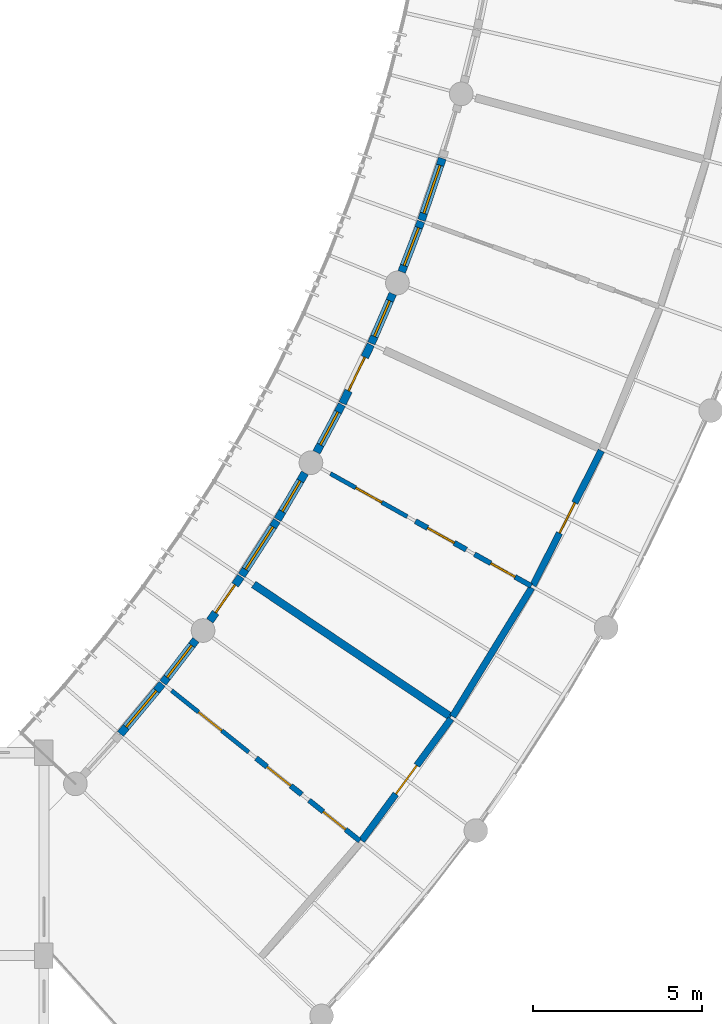
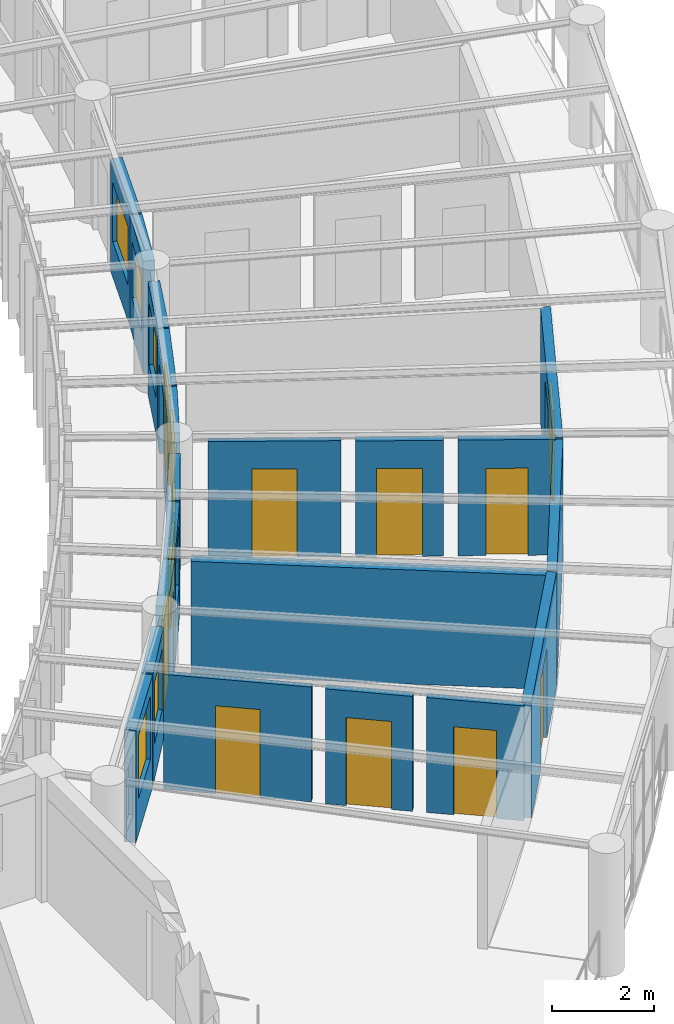
# One storey, part 60 of 100: 20 walls, 10 doors, 8 windows, 18 openings.
"""IFC4 building model written with IfcOpenShell, lengths in metres."""

from ifc_helpers import new_model, si_unit, direction, frame, frame_2d, origin, place, context, subcontext, project, spatial, rectangle, extrude, material, layer, layer_set, type_object, element, fill, save


model = new_model("IFC4")

# Units and contexts
model_context = context("Model", 3, precision=1e-05, world=origin(), true_north=direction((0.0, 1.0)))
body_context = subcontext(model_context, "Body", "Model", "MODEL_VIEW")
ifc_project = project(units=[si_unit("LENGTHUNIT", "METRE"), si_unit("AREAUNIT", "SQUARE_METRE"), si_unit("VOLUMEUNIT", "CUBIC_METRE"), si_unit("PLANEANGLEUNIT", "RADIAN"), si_unit("MASSUNIT", "GRAM", prefix="KILO"), si_unit("POWERUNIT", "WATT"), si_unit("THERMODYNAMICTEMPERATUREUNIT", "KELVIN")], contexts=[model_context])

# Site, building, storey
site_placement = place(None, origin())
site = spatial("IfcSite", under=ifc_project, at=site_placement, CompositionType="ELEMENT")
building_placement = place(site_placement, origin())
building = spatial("IfcBuilding", under=site, at=building_placement, Name="Ruvembo Vaulted Housing Court", CompositionType="ELEMENT")
storey_placement = place(building_placement, frame((0.0, 0.0, 10.89990234375)))
storey = spatial("IfcBuildingStorey", under=building, at=storey_placement, Name="L03", CompositionType="ELEMENT", Elevation=10.89990234375)

# Wall, opening, door
ifc_material_1 = material(Name="Concrete Blockwork 200", Category="masonry")
ifc_layer_1 = layer(ifc_material_1, 0.199951171875, Name="Concrete Blockwork 200")
ifc_layer_set_1 = layer_set([ifc_layer_1], Name="Concrete Blockwork 200")
wall_type_1 = type_object("IfcWallType", Name="WL-CORR-200", PredefinedType="SOLIDWALL", material=ifc_layer_set_1)
wall_1_placement = place(storey_placement, frame((45.392822265625, 39.400390625, 0.0), z_axis=(0.0, 0.0, 1.0), x_axis=(0.591475021239, 0.806323321783, 0.0)))
wall_1 = element("IfcWall", 1, at=wall_1_placement, inside=storey, type_object=wall_type_1, Name="L03 Suite SC1-L03-U1 Entrance WL-INT-L03-00976", PredefinedType="SOLIDWALL", context=body_context, shape_type="SweptSolid", body=[
    extrude(rectangle(XDim=4.467041015625, YDim=0.199951171875, at=frame_2d((2.2333984375, 0.0))), origin(), (0.0, 0.0, 1.0), 2.76220703125),
])
opening_1_placement = place(wall_1_placement, frame((1.70849609375, 0.0, 0.0)))
opening_1 = element("IfcOpeningElement", 2, at=opening_1_placement, cuts=wall_1, Name="Opening FD3", PredefinedType="OPENING", context=body_context, shape_type="SweptSolid", body=[
    extrude(rectangle(XDim=1.050048828125, YDim=2.14990234375, at=frame_2d((0.52490234375, 1.074951171875))), frame((0.0, 0.10986328125, 0.0), z_axis=(0.0, -1.0, 0.0), x_axis=(1.0, 0.0, 0.0)), (0.0, 0.0, 1.0), 0.219970703125),
])
ifc_material_2 = material(Name="FSC Hardwood and Engineered Timber", Category="wood")
door_type_1 = type_object("IfcDoorType", Name="DR-FLAT-1050x2150", OperationType="NOTDEFINED", PredefinedType="DOOR", material=ifc_material_2)
door_1_placement = place(opening_1_placement, origin())
door_1 = element("IfcDoor", 3, at=door_1_placement, inside=storey, type_object=door_type_1, Name="L03 Suite SC1-L03-U1 Entrance Door DR-INT-L03-00536", OperationType="SINGLE_SWING_RIGHT", OverallHeight=2.14990234375, OverallWidth=1.050048828125, PredefinedType="DOOR", context=body_context, shape_type="SweptSolid", body=[
    extrude(rectangle(XDim=1.050048828125, YDim=2.14990234375, at=frame_2d((0.52490234375, 1.074951171875))), frame((0.0, 0.02490234375, 0.0), z_axis=(0.0, -1.0, 0.0), x_axis=(1.0, 0.0, 0.0)), (0.0, 0.0, 1.0), 0.050048828125),
])
fill(opening_1, door_1)

# Wall
wall_2_placement = place(storey_placement, frame((48.07958984375, 43.068603515625, 0.0), z_axis=(0.0, 0.0, 1.0), x_axis=(0.523444746739, 0.852059620632, 0.0)))
element("IfcWall", 4, at=wall_2_placement, inside=storey, type_object=wall_type_1, Name="L03 Suite SC1-L03-U2 Gallery Wall WL-INT-L03-00981", PredefinedType="SOLIDWALL", context=body_context, shape_type="SweptSolid", body=[
    extrude(rectangle(XDim=4.46728515625, YDim=0.199951171875, at=frame_2d((2.233642578125, 0.0))), origin(), (0.0, 0.0, 1.0), 2.7421875),
])

# Wall, opening, door
wall_3_placement = place(storey_placement, frame((50.45703125, 46.94482421875, 0.0), z_axis=(0.0, 0.0, 1.0), x_axis=(0.451972910967, 0.892031662976, 0.0)))
wall_3 = element("IfcWall", 5, at=wall_3_placement, inside=storey, type_object=wall_type_1, Name="L03 Suite SC1-L03-U2 Entrance WL-INT-L03-00982", PredefinedType="SOLIDWALL", context=body_context, shape_type="SweptSolid", body=[
    extrude(rectangle(XDim=4.46728515625, YDim=0.199951171875, at=frame_2d((2.233642578125, 0.0))), origin(), (0.0, 0.0, 1.0), 2.72216796875),
])
opening_2_placement = place(wall_3_placement, frame((1.733642578125, 0.0, 0.0)))
opening_2 = element("IfcOpeningElement", 6, at=opening_2_placement, cuts=wall_3, Name="Opening FD1", PredefinedType="OPENING", context=body_context, shape_type="SweptSolid", body=[
    extrude(rectangle(XDim=1.0, YDim=2.14990234375, at=frame_2d((0.5, 1.074951171875))), frame((0.0, 0.10986328125, 0.0), z_axis=(0.0, -1.0, 0.0), x_axis=(1.0, 0.0, 0.0)), (0.0, 0.0, 1.0), 0.219970703125),
])
door_type_2 = type_object("IfcDoorType", Name="DR-FLAT-1000x2150", OperationType="NOTDEFINED", PredefinedType="DOOR", material=ifc_material_2)
door_2_placement = place(opening_2_placement, origin())
door_2 = element("IfcDoor", 7, at=door_2_placement, inside=storey, type_object=door_type_2, Name="L03 Suite SC1-L03-U2 Entrance Door DR-INT-L03-00540", OperationType="SINGLE_SWING_RIGHT", OverallHeight=2.14990234375, OverallWidth=1.0, PredefinedType="DOOR", context=body_context, shape_type="SweptSolid", body=[
    extrude(rectangle(XDim=1.0, YDim=2.14990234375, at=frame_2d((0.5, 1.074951171875))), frame((0.0, 0.02490234375, 0.0), z_axis=(0.0, -1.0, 0.0), x_axis=(1.0, 0.0, 0.0)), (0.0, 0.0, 1.0), 0.050048828125),
])
fill(opening_2, door_2)

# Wall
ifc_material_3 = material(Name="Acoustic Masonry Demising 230", Category="masonry")
ifc_layer_2 = layer(ifc_material_3, 0.22998046875, Name="Acoustic Masonry Demising 230")
ifc_layer_set_2 = layer_set([ifc_layer_2], Name="Acoustic Masonry Demising 230")
wall_type_2 = type_object("IfcWallType", Name="WL-DEM-230", PredefinedType="SOLIDWALL", material=ifc_layer_set_2)
wall_4_placement = place(storey_placement, frame((42.19970703125, 46.9736328125, 0.0), z_axis=(0.0, 0.0, 1.0), x_axis=(0.82987699708, -0.55794638606, 0.0)))
element("IfcWall", 8, at=wall_4_placement, inside=storey, type_object=wall_type_2, Name="L03 Suite SC1-L03-U1 Demising WL-INT-L03-00980", PredefinedType="SOLIDWALL", context=body_context, shape_type="SweptSolid", body=[
    extrude(rectangle(XDim=7.02001953125, YDim=0.22998046875, at=frame_2d((3.510009765625, 0.0))), origin(), (0.0, 0.0, 1.0), 2.72216796875),
])

# Wall, opening, window
ifc_material_4 = material(Name="Rendered Masonry 235", Category="masonry")
ifc_layer_3 = layer(ifc_material_4, 0.235107421875, Name="Rendered Masonry 235")
ifc_layer_set_3 = layer_set([ifc_layer_3], Name="Rendered Masonry 235")
wall_type_3 = type_object("IfcWallType", Name="WL-EXT-235", PredefinedType="STANDARD", material=ifc_layer_set_3)
wall_5_placement = place(storey_placement, frame((38.2626953125, 42.552001953125, 0.0), z_axis=(0.0, 0.0, 1.0), x_axis=(0.639872771242, 0.768480862887, 0.0)))
wall_5 = element("IfcWall", 9, at=wall_5_placement, inside=storey, type_object=wall_type_3, Name="Scoop SC1 L03 Concave Balcony Wall 1", PredefinedType="STANDARD", context=body_context, shape_type="SweptSolid", body=[
    extrude(rectangle(XDim=1.9267578125, YDim=0.235107421875, at=frame_2d((0.96337890625, 0.0))), origin(), (0.0, 0.0, 1.0), 2.68408203125),
])
opening_3_placement = place(wall_5_placement, frame((0.263427734375, 0.0, 0.85009765625)))
opening_3 = element("IfcOpeningElement", 10, at=opening_3_placement, cuts=wall_5, Name="Opening W17", PredefinedType="OPENING", context=body_context, shape_type="SweptSolid", body=[
    extrude(rectangle(XDim=1.39990234375, YDim=1.5, at=frame_2d((0.699951171875, 0.75))), frame((0.0, 0.12744140625, 0.0), z_axis=(0.0, -1.0, 0.0), x_axis=(1.0, 0.0, 0.0)), (0.0, 0.0, 1.0), 0.255126953125),
])
ifc_material_5 = material(Name="Double Solar-Control Glazing in Aluminium Frame", Category="aluminium")
window_type_1 = type_object("IfcWindowType", Name="WIN-1400x1500", PartitioningType="SINGLE_PANEL", PredefinedType="WINDOW", material=ifc_material_5)
window_1_placement = place(opening_3_placement, origin())
window_1 = element("IfcWindow", 11, at=window_1_placement, inside=storey, type_object=window_type_1, Name="Scoop SC1 L03 Concave Window 1", OverallHeight=1.5, OverallWidth=1.39990234375, PartitioningType="SINGLE_PANEL", PredefinedType="WINDOW", context=body_context, shape_type="SweptSolid", body=[
    extrude(rectangle(XDim=1.39990234375, YDim=1.5, at=frame_2d((0.699951171875, 0.75))), frame((0.0, 0.030029296875, 0.0), z_axis=(0.0, -1.0, 0.0), x_axis=(1.0, 0.0, 0.0)), (0.0, 0.0, 1.0), 0.06005859375),
])
fill(opening_3, window_1)

wall_6_placement = place(storey_placement, frame((39.5205078125, 44.06396484375, 0.0), z_axis=(0.0, 0.0, 1.0), x_axis=(0.607921045706, 0.793997482482, 0.0)))
wall_6 = element("IfcWall", 12, at=wall_6_placement, inside=storey, type_object=wall_type_3, Name="Scoop SC1 L03 Concave Balcony Wall 2", PredefinedType="STANDARD", context=body_context, shape_type="SweptSolid", body=[
    extrude(rectangle(XDim=1.5966796875, YDim=0.235107421875, at=frame_2d((0.79833984375, 0.0))), origin(), (0.0, 0.0, 1.0), 2.68408203125),
])
opening_4_placement = place(wall_6_placement, frame((0.198486328125, 0.0, 0.85009765625)))
opening_4 = element("IfcOpeningElement", 13, at=opening_4_placement, cuts=wall_6, Name="Opening W13", PredefinedType="OPENING", context=body_context, shape_type="SweptSolid", body=[
    extrude(rectangle(XDim=1.199951171875, YDim=1.449951171875, at=frame_2d((0.60009765625, 0.72509765625))), frame((0.0, 0.12744140625, 0.0), z_axis=(0.0, -1.0, 0.0), x_axis=(1.0, 0.0, 0.0)), (0.0, 0.0, 1.0), 0.255126953125),
])
window_type_2 = type_object("IfcWindowType", Name="WIN-1200x1450", PartitioningType="SINGLE_PANEL", PredefinedType="WINDOW", material=ifc_material_5)
window_2_placement = place(opening_4_placement, origin())
window_2 = element("IfcWindow", 14, at=window_2_placement, inside=storey, type_object=window_type_2, Name="Scoop SC1 L03 Concave Window 2", OverallHeight=1.449951171875, OverallWidth=1.199951171875, PartitioningType="SINGLE_PANEL", PredefinedType="WINDOW", context=body_context, shape_type="SweptSolid", body=[
    extrude(rectangle(XDim=1.199951171875, YDim=1.449951171875, at=frame_2d((0.60009765625, 0.72509765625))), frame((0.0, 0.030029296875, 0.0), z_axis=(0.0, -1.0, 0.0), x_axis=(1.0, 0.0, 0.0)), (0.0, 0.0, 1.0), 0.06005859375),
])
fill(opening_4, window_2)

# Wall, opening, door
wall_7_placement = place(storey_placement, frame((40.9052734375, 45.896240234375, 0.0), z_axis=(0.0, 0.0, 1.0), x_axis=(0.574754617893, 0.818325808716, 0.0)))
wall_7 = element("IfcWall", 15, at=wall_7_placement, inside=storey, type_object=wall_type_3, Name="Scoop SC1 L03 Concave Balcony Wall 3", PredefinedType="STANDARD", context=body_context, shape_type="SweptSolid", body=[
    extrude(rectangle(XDim=1.5966796875, YDim=0.235107421875, at=frame_2d((0.79833984375, 0.0))), origin(), (0.0, 0.0, 1.0), 2.68408203125),
])
opening_5_placement = place(wall_7_placement, frame((0.29833984375, 0.0, 0.0)))
opening_5 = element("IfcOpeningElement", 16, at=opening_5_placement, cuts=wall_7, Name="Opening BD1", PredefinedType="OPENING", context=body_context, shape_type="SweptSolid", body=[
    extrude(rectangle(XDim=1.0, YDim=2.14990234375, at=frame_2d((0.5, 1.074951171875))), frame((0.0, 0.12744140625, 0.0), z_axis=(0.0, -1.0, 0.0), x_axis=(1.0, 0.0, 0.0)), (0.0, 0.0, 1.0), 0.255126953125),
])
ifc_material_6 = material(Name="Thermally Broken Glazed Aluminium", Category="aluminium")
door_type_3 = type_object("IfcDoorType", Name="DR-BAL-1000x2150", OperationType="NOTDEFINED", PredefinedType="DOOR", material=ifc_material_6)
door_3_placement = place(opening_5_placement, origin())
door_3 = element("IfcDoor", 17, at=door_3_placement, inside=storey, type_object=door_type_3, Name="Scoop SC1 L03 Balcony Door 3", OperationType="SINGLE_SWING_RIGHT", OverallHeight=2.14990234375, OverallWidth=1.0, PredefinedType="DOOR", context=body_context, shape_type="SweptSolid", body=[
    extrude(rectangle(XDim=1.0, YDim=2.14990234375, at=frame_2d((0.5, 1.074951171875))), frame((0.0, 0.02490234375, 0.0), z_axis=(0.0, -1.0, 0.0), x_axis=(1.0, 0.0, 0.0)), (0.0, 0.0, 1.0), 0.050048828125),
])
fill(opening_5, door_3)

# Wall, opening, window
wall_8_placement = place(storey_placement, frame((41.84521484375, 47.236083984375, 0.0), z_axis=(0.0, 0.0, 1.0), x_axis=(0.540911277163, 0.841079657486, 0.0)))
wall_8 = element("IfcWall", 18, at=wall_8_placement, inside=storey, type_object=wall_type_3, Name="Scoop SC1 L03 Concave Balcony Wall 4", PredefinedType="STANDARD", context=body_context, shape_type="SweptSolid", body=[
    extrude(rectangle(XDim=1.9267578125, YDim=0.235107421875, at=frame_2d((0.96337890625, 0.0))), origin(), (0.0, 0.0, 1.0), 2.68408203125),
])
opening_6_placement = place(wall_8_placement, frame((0.21337890625, 0.0, 0.85009765625)))
opening_6 = element("IfcOpeningElement", 19, at=opening_6_placement, cuts=wall_8, Name="Opening W19", PredefinedType="OPENING", context=body_context, shape_type="SweptSolid", body=[
    extrude(rectangle(XDim=1.5, YDim=1.5, at=frame_2d((0.75, 0.75))), frame((0.0, 0.12744140625, 0.0), z_axis=(0.0, -1.0, 0.0), x_axis=(1.0, 0.0, 0.0)), (0.0, 0.0, 1.0), 0.255126953125),
])
window_type_3 = type_object("IfcWindowType", Name="WIN-1500x1500", PartitioningType="SINGLE_PANEL", PredefinedType="WINDOW", material=ifc_material_5)
window_3_placement = place(opening_6_placement, origin())
window_3 = element("IfcWindow", 20, at=window_3_placement, inside=storey, type_object=window_type_3, Name="Scoop SC1 L03 Concave Window 4", OverallHeight=1.5, OverallWidth=1.5, PartitioningType="SINGLE_PANEL", PredefinedType="WINDOW", context=body_context, shape_type="SweptSolid", body=[
    extrude(rectangle(XDim=1.5, YDim=1.5, at=frame_2d((0.75, 0.75))), frame((0.0, 0.030029296875, 0.0), z_axis=(0.0, -1.0, 0.0), x_axis=(1.0, 0.0, 0.0)), (0.0, 0.0, 1.0), 0.06005859375),
])
fill(opening_6, window_3)

wall_9_placement = place(storey_placement, frame((42.908203125, 48.890869140625, 0.0), z_axis=(0.0, 0.0, 1.0), x_axis=(0.505970625323, 0.862550709414, 0.0)))
wall_9 = element("IfcWall", 21, at=wall_9_placement, inside=storey, type_object=wall_type_3, Name="Scoop SC1 L03 Concave Balcony Wall 5", PredefinedType="STANDARD", context=body_context, shape_type="SweptSolid", body=[
    extrude(rectangle(XDim=1.5966796875, YDim=0.235107421875, at=frame_2d((0.79833984375, 0.0))), origin(), (0.0, 0.0, 1.0), 2.68408203125),
])
opening_7_placement = place(wall_9_placement, frame((0.273193359375, 0.0, 0.85009765625)))
opening_7 = element("IfcOpeningElement", 22, at=opening_7_placement, cuts=wall_9, Name="Opening W09", PredefinedType="OPENING", context=body_context, shape_type="SweptSolid", body=[
    extrude(rectangle(XDim=1.050048828125, YDim=1.35009765625, at=frame_2d((0.52490234375, 0.675048828125))), frame((0.0, 0.12744140625, 0.0), z_axis=(0.0, -1.0, 0.0), x_axis=(1.0, 0.0, 0.0)), (0.0, 0.0, 1.0), 0.255126953125),
])
window_type_4 = type_object("IfcWindowType", Name="WIN-1050x1350", PartitioningType="SINGLE_PANEL", PredefinedType="WINDOW", material=ifc_material_5)
window_4_placement = place(opening_7_placement, origin())
window_4 = element("IfcWindow", 23, at=window_4_placement, inside=storey, type_object=window_type_4, Name="Scoop SC1 L03 Concave Window 5", OverallHeight=1.35009765625, OverallWidth=1.050048828125, PartitioningType="SINGLE_PANEL", PredefinedType="WINDOW", context=body_context, shape_type="SweptSolid", body=[
    extrude(rectangle(XDim=1.050048828125, YDim=1.35009765625, at=frame_2d((0.52490234375, 0.675048828125))), frame((0.0, 0.030029296875, 0.0), z_axis=(0.0, -1.0, 0.0), x_axis=(1.0, 0.0, 0.0)), (0.0, 0.0, 1.0), 0.06005859375),
])
fill(opening_7, window_4)

wall_10_placement = place(storey_placement, frame((44.0576171875, 50.87890625, 0.0), z_axis=(0.0, 0.0, 1.0), x_axis=(0.470183436771, 0.882568714484, 0.0)))
wall_10 = element("IfcWall", 24, at=wall_10_placement, inside=storey, type_object=wall_type_3, Name="Scoop SC1 L03 Concave Balcony Wall 6", PredefinedType="STANDARD", context=body_context, shape_type="SweptSolid", body=[
    extrude(rectangle(XDim=1.5966796875, YDim=0.235107421875, at=frame_2d((0.79833984375, 0.0))), origin(), (0.0, 0.0, 1.0), 2.68408203125),
])
opening_8_placement = place(wall_10_placement, frame((0.248291015625, 0.0, 0.85009765625)))
opening_8 = element("IfcOpeningElement", 25, at=opening_8_placement, cuts=wall_10, Name="Opening W10", PredefinedType="OPENING", context=body_context, shape_type="SweptSolid", body=[
    extrude(rectangle(XDim=1.10009765625, YDim=1.449951171875, at=frame_2d((0.550048828125, 0.72509765625))), frame((0.0, 0.12744140625, 0.0), z_axis=(0.0, -1.0, 0.0), x_axis=(1.0, 0.0, 0.0)), (0.0, 0.0, 1.0), 0.255126953125),
])
window_type_5 = type_object("IfcWindowType", Name="WIN-1100x1450", PartitioningType="SINGLE_PANEL", PredefinedType="WINDOW", material=ifc_material_5)
window_5_placement = place(opening_8_placement, origin())
window_5 = element("IfcWindow", 26, at=window_5_placement, inside=storey, type_object=window_type_5, Name="Scoop SC1 L03 Concave Window 6", OverallHeight=1.449951171875, OverallWidth=1.10009765625, PartitioningType="SINGLE_PANEL", PredefinedType="WINDOW", context=body_context, shape_type="SweptSolid", body=[
    extrude(rectangle(XDim=1.10009765625, YDim=1.449951171875, at=frame_2d((0.550048828125, 0.72509765625))), frame((0.0, 0.030029296875, 0.0), z_axis=(0.0, -1.0, 0.0), x_axis=(1.0, 0.0, 0.0)), (0.0, 0.0, 1.0), 0.06005859375),
])
fill(opening_8, window_5)

# Wall, opening, door
wall_11_placement = place(storey_placement, frame((44.826416015625, 52.323974609375, 0.0), z_axis=(0.0, 0.0, 1.0), x_axis=(0.433579410465, 0.90111536155, 0.0)))
wall_11 = element("IfcWall", 27, at=wall_11_placement, inside=storey, type_object=wall_type_3, Name="Scoop SC1 L03 Concave Balcony Wall 7", PredefinedType="STANDARD", context=body_context, shape_type="SweptSolid", body=[
    extrude(rectangle(XDim=1.9267578125, YDim=0.235107421875, at=frame_2d((0.96337890625, 0.0))), origin(), (0.0, 0.0, 1.0), 2.68408203125),
])
opening_9_placement = place(wall_11_placement, frame((0.413330078125, 0.0, 0.0)))
opening_9 = element("IfcOpeningElement", 28, at=opening_9_placement, cuts=wall_11, Name="Opening BD3", PredefinedType="OPENING", context=body_context, shape_type="SweptSolid", body=[
    extrude(rectangle(XDim=1.10009765625, YDim=2.14990234375, at=frame_2d((0.550048828125, 1.074951171875))), frame((0.0, 0.12744140625, 0.0), z_axis=(0.0, -1.0, 0.0), x_axis=(1.0, 0.0, 0.0)), (0.0, 0.0, 1.0), 0.255126953125),
])
door_type_4 = type_object("IfcDoorType", Name="DR-BAL-1100x2150", OperationType="NOTDEFINED", PredefinedType="DOOR", material=ifc_material_6)
door_4_placement = place(opening_9_placement, origin())
door_4 = element("IfcDoor", 29, at=door_4_placement, inside=storey, type_object=door_type_4, Name="Scoop SC1 L03 Balcony Door 7", OperationType="SINGLE_SWING_LEFT", OverallHeight=2.14990234375, OverallWidth=1.10009765625, PredefinedType="DOOR", context=body_context, shape_type="SweptSolid", body=[
    extrude(rectangle(XDim=1.10009765625, YDim=2.14990234375, at=frame_2d((0.550048828125, 1.074951171875))), frame((0.0, 0.02490234375, 0.0), z_axis=(0.0, -1.0, 0.0), x_axis=(1.0, 0.0, 0.0)), (0.0, 0.0, 1.0), 0.050048828125),
])
fill(opening_9, door_4)

# Wall, opening, window
wall_12_placement = place(storey_placement, frame((45.678466796875, 54.0966796875, 0.0), z_axis=(0.0, 0.0, 1.0), x_axis=(0.396353998836, 0.918097765822, 0.0)))
wall_12 = element("IfcWall", 30, at=wall_12_placement, inside=storey, type_object=wall_type_3, Name="Scoop SC1 L03 Concave Balcony Wall 8", PredefinedType="STANDARD", context=body_context, shape_type="SweptSolid", body=[
    extrude(rectangle(XDim=1.5966796875, YDim=0.235107421875, at=frame_2d((0.79833984375, 0.0))), origin(), (0.0, 0.0, 1.0), 2.68408203125),
])
opening_10_placement = place(wall_12_placement, frame((0.223388671875, 0.0, 0.85009765625)))
opening_10 = element("IfcOpeningElement", 31, at=opening_10_placement, cuts=wall_12, Name="Opening W11", PredefinedType="OPENING", context=body_context, shape_type="SweptSolid", body=[
    extrude(rectangle(XDim=1.14990234375, YDim=1.449951171875, at=frame_2d((0.574951171875, 0.72509765625))), frame((0.0, 0.12744140625, 0.0), z_axis=(0.0, -1.0, 0.0), x_axis=(1.0, 0.0, 0.0)), (0.0, 0.0, 1.0), 0.255126953125),
])
window_type_6 = type_object("IfcWindowType", Name="WIN-1150x1450", PartitioningType="SINGLE_PANEL", PredefinedType="WINDOW", material=ifc_material_5)
window_6_placement = place(opening_10_placement, origin())
window_6 = element("IfcWindow", 32, at=window_6_placement, inside=storey, type_object=window_type_6, Name="Scoop SC1 L03 Concave Window 8", OverallHeight=1.449951171875, OverallWidth=1.14990234375, PartitioningType="SINGLE_PANEL", PredefinedType="WINDOW", context=body_context, shape_type="SweptSolid", body=[
    extrude(rectangle(XDim=1.14990234375, YDim=1.449951171875, at=frame_2d((0.574951171875, 0.72509765625))), frame((0.0, 0.030029296875, 0.0), z_axis=(0.0, -1.0, 0.0), x_axis=(1.0, 0.0, 0.0)), (0.0, 0.0, 1.0), 0.06005859375),
])
fill(opening_10, window_6)

wall_13_placement = place(storey_placement, frame((46.575439453125, 56.210693359375, 0.0), z_axis=(0.0, 0.0, 1.0), x_axis=(0.358384767005, 0.933573970705, 0.0)))
wall_13 = element("IfcWall", 33, at=wall_13_placement, inside=storey, type_object=wall_type_3, Name="Scoop SC1 L03 Concave Balcony Wall 9", PredefinedType="STANDARD", context=body_context, shape_type="SweptSolid", body=[
    extrude(rectangle(XDim=1.5966796875, YDim=0.235107421875, at=frame_2d((0.79833984375, 0.0))), origin(), (0.0, 0.0, 1.0), 2.68408203125),
])
opening_11_placement = place(wall_13_placement, frame((0.198486328125, 0.0, 0.85009765625)))
opening_11 = element("IfcOpeningElement", 34, at=opening_11_placement, cuts=wall_13, Name="Opening W12", PredefinedType="OPENING", context=body_context, shape_type="SweptSolid", body=[
    extrude(rectangle(XDim=1.199951171875, YDim=1.35009765625, at=frame_2d((0.60009765625, 0.675048828125))), frame((0.0, 0.12744140625, 0.0), z_axis=(0.0, -1.0, 0.0), x_axis=(1.0, 0.0, 0.0)), (0.0, 0.0, 1.0), 0.255126953125),
])
window_type_7 = type_object("IfcWindowType", Name="WIN-1200x1350", PartitioningType="SINGLE_PANEL", PredefinedType="WINDOW", material=ifc_material_5)
window_7_placement = place(opening_11_placement, origin())
window_7 = element("IfcWindow", 35, at=window_7_placement, inside=storey, type_object=window_type_7, Name="Scoop SC1 L03 Concave Window 9", OverallHeight=1.35009765625, OverallWidth=1.199951171875, PartitioningType="SINGLE_PANEL", PredefinedType="WINDOW", context=body_context, shape_type="SweptSolid", body=[
    extrude(rectangle(XDim=1.199951171875, YDim=1.35009765625, at=frame_2d((0.60009765625, 0.675048828125))), frame((0.0, 0.030029296875, 0.0), z_axis=(0.0, -1.0, 0.0), x_axis=(1.0, 0.0, 0.0)), (0.0, 0.0, 1.0), 0.06005859375),
])
fill(opening_11, window_7)

wall_14_placement = place(storey_placement, frame((47.161376953125, 57.739013671875, 0.0), z_axis=(0.0, 0.0, 1.0), x_axis=(0.319798549746, 0.947485560618, 0.0)))
wall_14 = element("IfcWall", 36, at=wall_14_placement, inside=storey, type_object=wall_type_3, Name="Scoop SC1 L03 Concave Balcony Wall 10", PredefinedType="STANDARD", context=body_context, shape_type="SweptSolid", body=[
    extrude(rectangle(XDim=1.9267578125, YDim=0.235107421875, at=frame_2d((0.96337890625, 0.0))), origin(), (0.0, 0.0, 1.0), 2.68408203125),
])
opening_12_placement = place(wall_14_placement, frame((0.21337890625, 0.0, 0.85009765625)))
opening_12 = element("IfcOpeningElement", 37, at=opening_12_placement, cuts=wall_14, Name="Opening W18", PredefinedType="OPENING", context=body_context, shape_type="SweptSolid", body=[
    extrude(rectangle(XDim=1.5, YDim=1.39990234375, at=frame_2d((0.75, 0.699951171875))), frame((0.0, 0.12744140625, 0.0), z_axis=(0.0, -1.0, 0.0), x_axis=(1.0, 0.0, 0.0)), (0.0, 0.0, 1.0), 0.255126953125),
])
window_type_8 = type_object("IfcWindowType", Name="WIN-1500x1400", PartitioningType="SINGLE_PANEL", PredefinedType="WINDOW", material=ifc_material_5)
window_8_placement = place(opening_12_placement, origin())
window_8 = element("IfcWindow", 38, at=window_8_placement, inside=storey, type_object=window_type_8, Name="Scoop SC1 L03 Concave Window 10", OverallHeight=1.39990234375, OverallWidth=1.5, PartitioningType="SINGLE_PANEL", PredefinedType="WINDOW", context=body_context, shape_type="SweptSolid", body=[
    extrude(rectangle(XDim=1.5, YDim=1.39990234375, at=frame_2d((0.75, 0.699951171875))), frame((0.0, 0.030029296875, 0.0), z_axis=(0.0, -1.0, 0.0), x_axis=(1.0, 0.0, 0.0)), (0.0, 0.0, 1.0), 0.06005859375),
])
fill(opening_12, window_8)

# Wall, opening, door
ifc_material_7 = material(Name="Plasterboard Stud Partition 125", Category="gypsum")
ifc_layer_4 = layer(ifc_material_7, 0.125, Name="Plasterboard Stud Partition 125")
ifc_layer_set_4 = layer_set([ifc_layer_4], Name="Plasterboard Stud Partition 125")
wall_type_4 = type_object("IfcWallType", Name="WL-PART-125", PredefinedType="PARTITIONING", material=ifc_layer_set_4)
wall_15_placement = place(storey_placement, frame((39.774169921875, 43.8359375, 0.0), z_axis=(0.0, 0.0, 1.0), x_axis=(0.781431339385, -0.623991235377, 0.0)))
wall_15 = element("IfcWall", 39, at=wall_15_placement, inside=storey, type_object=wall_type_4, Name="L03 Suite SC1-L03-U1 Bedroom WL-INT-L03-00977", PredefinedType="PARTITIONING", context=body_context, shape_type="SweptSolid", body=[
    extrude(rectangle(XDim=2.919921875, YDim=0.125, at=frame_2d((1.4599609375, 0.0))), origin(), (0.0, 0.0, 1.0), 2.7421875),
])
opening_13_placement = place(wall_15_placement, frame((1.02001953125, 0.0, 0.0)))
opening_13 = element("IfcOpeningElement", 40, at=opening_13_placement, cuts=wall_15, Name="Opening ID3", PredefinedType="OPENING", context=body_context, shape_type="SweptSolid", body=[
    extrude(rectangle(XDim=0.8798828125, YDim=2.10009765625, at=frame_2d((0.43994140625, 1.050048828125))), frame((0.0, 0.072509765625, 0.0), z_axis=(0.0, -1.0, 0.0), x_axis=(1.0, 0.0, 0.0)), (0.0, 0.0, 1.0), 0.14501953125),
])
door_type_5 = type_object("IfcDoorType", Name="DR-ROOM-0880x2100", OperationType="NOTDEFINED", PredefinedType="DOOR", material=ifc_material_2)
door_5_placement = place(opening_13_placement, origin())
door_5 = element("IfcDoor", 41, at=door_5_placement, inside=storey, type_object=door_type_5, Name="L03 Suite SC1-L03-U1 Bedroom Door DR-INT-L03-00537", OperationType="SINGLE_SWING_LEFT", OverallHeight=2.10009765625, OverallWidth=0.8798828125, PredefinedType="DOOR", context=body_context, shape_type="SweptSolid", body=[
    extrude(rectangle(XDim=0.8798828125, YDim=2.10009765625, at=frame_2d((0.43994140625, 1.050048828125))), frame((0.0, 0.02490234375, 0.0), z_axis=(0.0, -1.0, 0.0), x_axis=(1.0, 0.0, 0.0)), (0.0, 0.0, 1.0), 0.050048828125),
])
fill(opening_13, door_5)

wall_16_placement = place(storey_placement, frame((44.468994140625, 50.247802734375, 0.0), z_axis=(0.0, 0.0, 1.0), x_axis=(0.872794081277, -0.488088610487, 0.0)))
wall_16 = element("IfcWall", 42, at=wall_16_placement, inside=storey, type_object=wall_type_4, Name="L03 Suite SC1-L03-U2 Bedroom WL-INT-L03-00983", PredefinedType="PARTITIONING", context=body_context, shape_type="SweptSolid", body=[
    extrude(rectangle(XDim=2.60009765625, YDim=0.125, at=frame_2d((1.300048828125, 0.0))), origin(), (0.0, 0.0, 1.0), 2.76220703125),
])
opening_14_placement = place(wall_16_placement, frame((0.860107421875, 0.0, 0.0)))
opening_14 = element("IfcOpeningElement", 43, at=opening_14_placement, cuts=wall_16, Name="Opening ID3", PredefinedType="OPENING", context=body_context, shape_type="SweptSolid", body=[
    extrude(rectangle(XDim=0.8798828125, YDim=2.10009765625, at=frame_2d((0.43994140625, 1.050048828125))), frame((0.0, 0.072509765625, 0.0), z_axis=(0.0, -1.0, 0.0), x_axis=(1.0, 0.0, 0.0)), (0.0, 0.0, 1.0), 0.14501953125),
])
door_6_placement = place(opening_14_placement, origin())
door_6 = element("IfcDoor", 44, at=door_6_placement, inside=storey, type_object=door_type_5, Name="L03 Suite SC1-L03-U2 Bedroom Door DR-INT-L03-00541", OperationType="SINGLE_SWING_LEFT", OverallHeight=2.10009765625, OverallWidth=0.8798828125, PredefinedType="DOOR", context=body_context, shape_type="SweptSolid", body=[
    extrude(rectangle(XDim=0.8798828125, YDim=2.10009765625, at=frame_2d((0.43994140625, 1.050048828125))), frame((0.0, 0.02490234375, 0.0), z_axis=(0.0, -1.0, 0.0), x_axis=(1.0, 0.0, 0.0)), (0.0, 0.0, 1.0), 0.050048828125),
])
fill(opening_14, door_6)

ifc_material_8 = material(Name="Moisture-Resistant Wet Partition 150", Category="gypsum")
ifc_layer_5 = layer(ifc_material_8, 0.14990234375, Name="Moisture-Resistant Wet Partition 150")
ifc_layer_set_5 = layer_set([ifc_layer_5], Name="Moisture-Resistant Wet Partition 150")
wall_type_5 = type_object("IfcWallType", Name="WL-PART-150", PredefinedType="PARTITIONING", material=ifc_layer_set_5)
wall_17_placement = place(storey_placement, frame((43.837646484375, 40.591064453125, 0.0), z_axis=(0.0, 0.0, 1.0), x_axis=(0.781426781444, -0.623996943295, 0.0)))
wall_17 = element("IfcWall", 45, at=wall_17_placement, inside=storey, type_object=wall_type_5, Name="L03 Suite SC1-L03-U1 Bathroom WL-INT-L03-00979", PredefinedType="PARTITIONING", context=body_context, shape_type="SweptSolid", body=[
    extrude(rectangle(XDim=1.919921875, YDim=0.14990234375, at=frame_2d((0.9599609375, 0.0))), origin(), (0.0, 0.0, 1.0), 2.7421875),
])
opening_15_placement = place(wall_17_placement, frame((0.534912109375, 0.0, 0.0)))
opening_15 = element("IfcOpeningElement", 46, at=opening_15_placement, cuts=wall_17, Name="Opening ID2", PredefinedType="OPENING", context=body_context, shape_type="SweptSolid", body=[
    extrude(rectangle(XDim=0.85009765625, YDim=2.10009765625, at=frame_2d((0.425048828125, 1.050048828125))), frame((0.0, 0.0849609375, 0.0), z_axis=(0.0, -1.0, 0.0), x_axis=(1.0, 0.0, 0.0)), (0.0, 0.0, 1.0), 0.169921875),
])
door_type_6 = type_object("IfcDoorType", Name="DR-WET-0850x2100", OperationType="NOTDEFINED", PredefinedType="DOOR", material=ifc_material_2)
door_7_placement = place(opening_15_placement, origin())
door_7 = element("IfcDoor", 47, at=door_7_placement, inside=storey, type_object=door_type_6, Name="L03 Suite SC1-L03-U1 Bathroom Door DR-INT-L03-00539", OperationType="SINGLE_SWING_LEFT", OverallHeight=2.10009765625, OverallWidth=0.85009765625, PredefinedType="DOOR", context=body_context, shape_type="SweptSolid", body=[
    extrude(rectangle(XDim=0.85009765625, YDim=2.10009765625, at=frame_2d((0.425048828125, 1.050048828125))), frame((0.0, 0.02490234375, 0.0), z_axis=(0.0, -1.0, 0.0), x_axis=(1.0, 0.0, 0.0)), (0.0, 0.0, 1.0), 0.050048828125),
])
fill(opening_15, door_7)

wall_18_placement = place(storey_placement, frame((48.728271484375, 47.86572265625, 0.0), z_axis=(0.0, 0.0, 1.0), x_axis=(0.8728224149, -0.488037941198, 0.0)))
wall_18 = element("IfcWall", 48, at=wall_18_placement, inside=storey, type_object=wall_type_5, Name="L03 Suite SC1-L03-U2 Bathroom WL-INT-L03-00985", PredefinedType="PARTITIONING", context=body_context, shape_type="SweptSolid", body=[
    extrude(rectangle(XDim=1.919921875, YDim=0.14990234375, at=frame_2d((0.9599609375, 0.0))), origin(), (0.0, 0.0, 1.0), 2.76220703125),
])
opening_16_placement = place(wall_18_placement, frame((0.550048828125, 0.0, 0.0)))
opening_16 = element("IfcOpeningElement", 49, at=opening_16_placement, cuts=wall_18, Name="Opening ID4", PredefinedType="OPENING", context=body_context, shape_type="SweptSolid", body=[
    extrude(rectangle(XDim=0.820068359375, YDim=2.080078125, at=frame_2d((0.41015625, 1.0400390625))), frame((0.0, 0.0849609375, 0.0), z_axis=(0.0, -1.0, 0.0), x_axis=(1.0, 0.0, 0.0)), (0.0, 0.0, 1.0), 0.169921875),
])
door_type_7 = type_object("IfcDoorType", Name="DR-WET-0820x2080", OperationType="NOTDEFINED", PredefinedType="DOOR", material=ifc_material_2)
door_8_placement = place(opening_16_placement, origin())
door_8 = element("IfcDoor", 50, at=door_8_placement, inside=storey, type_object=door_type_7, Name="L03 Suite SC1-L03-U2 Bathroom Door DR-INT-L03-00543", OperationType="SINGLE_SWING_LEFT", OverallHeight=2.080078125, OverallWidth=0.820068359375, PredefinedType="DOOR", context=body_context, shape_type="SweptSolid", body=[
    extrude(rectangle(XDim=0.820068359375, YDim=2.080078125, at=frame_2d((0.41015625, 1.0400390625))), frame((0.0, 0.02490234375, 0.0), z_axis=(0.0, -1.0, 0.0), x_axis=(1.0, 0.0, 0.0)), (0.0, 0.0, 1.0), 0.050048828125),
])
fill(opening_16, door_8)

ifc_material_9 = material(Name="Acoustic Service Chase Wall 160", Category="gypsum")
ifc_layer_6 = layer(ifc_material_9, 0.159912109375, Name="Acoustic Service Chase Wall 160")
ifc_layer_set_6 = layer_set([ifc_layer_6], Name="Acoustic Service Chase Wall 160")
wall_type_6 = type_object("IfcWallType", Name="WL-PLUMB-160", PredefinedType="PLUMBINGWALL", material=ifc_layer_set_6)
wall_19_placement = place(storey_placement, frame((42.274658203125, 41.839111328125, 0.0), z_axis=(0.0, 0.0, 1.0), x_axis=(0.781422444937, -0.624002373832, 0.0)))
wall_19 = element("IfcWall", 51, at=wall_19_placement, inside=storey, type_object=wall_type_6, Name="L03 Suite SC1-L03-U1 Kitchen WL-INT-L03-00978", PredefinedType="PLUMBINGWALL", context=body_context, shape_type="SweptSolid", body=[
    extrude(rectangle(XDim=1.719970703125, YDim=0.159912109375, at=frame_2d((0.85986328125, 0.0))), origin(), (0.0, 0.0, 1.0), 2.7421875),
])
opening_17_placement = place(wall_19_placement, frame((0.409912109375, 0.0, 0.0)))
opening_17 = element("IfcOpeningElement", 52, at=opening_17_placement, cuts=wall_19, Name="Opening ID1", PredefinedType="OPENING", context=body_context, shape_type="SweptSolid", body=[
    extrude(rectangle(XDim=0.89990234375, YDim=2.10009765625, at=frame_2d((0.449951171875, 1.050048828125))), frame((0.0, 0.08984375, 0.0), z_axis=(0.0, -1.0, 0.0), x_axis=(1.0, 0.0, 0.0)), (0.0, 0.0, 1.0), 0.179931640625),
])
door_type_8 = type_object("IfcDoorType", Name="DR-ROOM-0900x2100", OperationType="NOTDEFINED", PredefinedType="DOOR", material=ifc_material_2)
door_9_placement = place(opening_17_placement, origin())
door_9 = element("IfcDoor", 53, at=door_9_placement, inside=storey, type_object=door_type_8, Name="L03 Suite SC1-L03-U1 Kitchen Door DR-INT-L03-00538", OperationType="SINGLE_SWING_RIGHT", OverallHeight=2.10009765625, OverallWidth=0.89990234375, PredefinedType="DOOR", context=body_context, shape_type="SweptSolid", body=[
    extrude(rectangle(XDim=0.89990234375, YDim=2.10009765625, at=frame_2d((0.449951171875, 1.050048828125))), frame((0.0, 0.02490234375, 0.0), z_axis=(0.0, -1.0, 0.0), x_axis=(1.0, 0.0, 0.0)), (0.0, 0.0, 1.0), 0.050048828125),
])
fill(opening_17, door_9)

wall_20_placement = place(storey_placement, frame((46.982666015625, 48.842041015625, 0.0), z_axis=(0.0, 0.0, 1.0), x_axis=(0.872774545553, -0.48812354239, 0.0)))
wall_20 = element("IfcWall", 54, at=wall_20_placement, inside=storey, type_object=wall_type_6, Name="L03 Suite SC1-L03-U2 Kitchen WL-INT-L03-00984", PredefinedType="PLUMBINGWALL", context=body_context, shape_type="SweptSolid", body=[
    extrude(rectangle(XDim=1.719970703125, YDim=0.159912109375, at=frame_2d((0.85986328125, 0.0))), origin(), (0.0, 0.0, 1.0), 2.76220703125),
])
opening_18_placement = place(wall_20_placement, frame((0.409912109375, 0.0, 0.0)))
opening_18 = element("IfcOpeningElement", 55, at=opening_18_placement, cuts=wall_20, Name="Opening ID1", PredefinedType="OPENING", context=body_context, shape_type="SweptSolid", body=[
    extrude(rectangle(XDim=0.89990234375, YDim=2.10009765625, at=frame_2d((0.449951171875, 1.050048828125))), frame((0.0, 0.08984375, 0.0), z_axis=(0.0, -1.0, 0.0), x_axis=(1.0, 0.0, 0.0)), (0.0, 0.0, 1.0), 0.179931640625),
])
door_10_placement = place(opening_18_placement, origin())
door_10 = element("IfcDoor", 56, at=door_10_placement, inside=storey, type_object=door_type_8, Name="L03 Suite SC1-L03-U2 Kitchen Door DR-INT-L03-00542", OperationType="SINGLE_SWING_RIGHT", OverallHeight=2.10009765625, OverallWidth=0.89990234375, PredefinedType="DOOR", context=body_context, shape_type="SweptSolid", body=[
    extrude(rectangle(XDim=0.89990234375, YDim=2.10009765625, at=frame_2d((0.449951171875, 1.050048828125))), frame((0.0, 0.02490234375, 0.0), z_axis=(0.0, -1.0, 0.0), x_axis=(1.0, 0.0, 0.0)), (0.0, 0.0, 1.0), 0.050048828125),
])
fill(opening_18, door_10)

save(model, "model.ifc")
